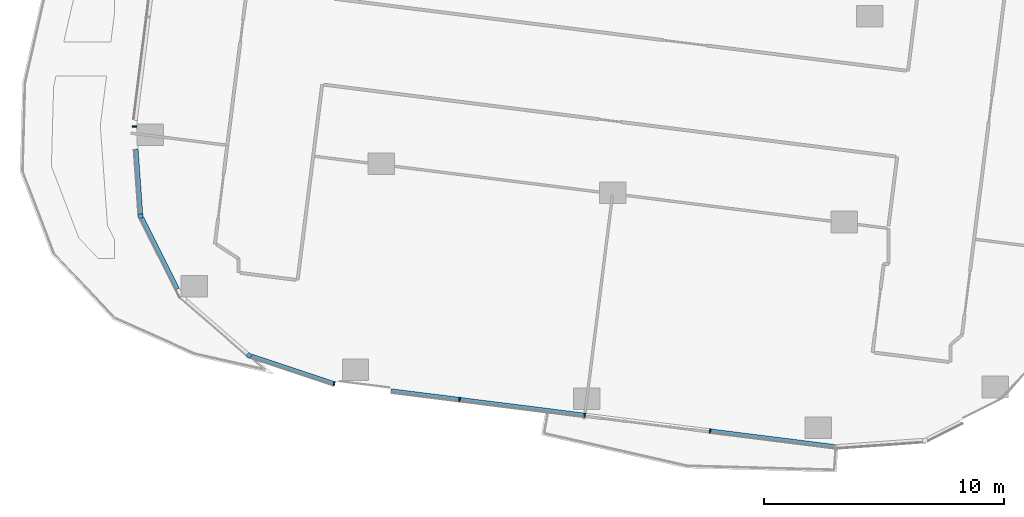
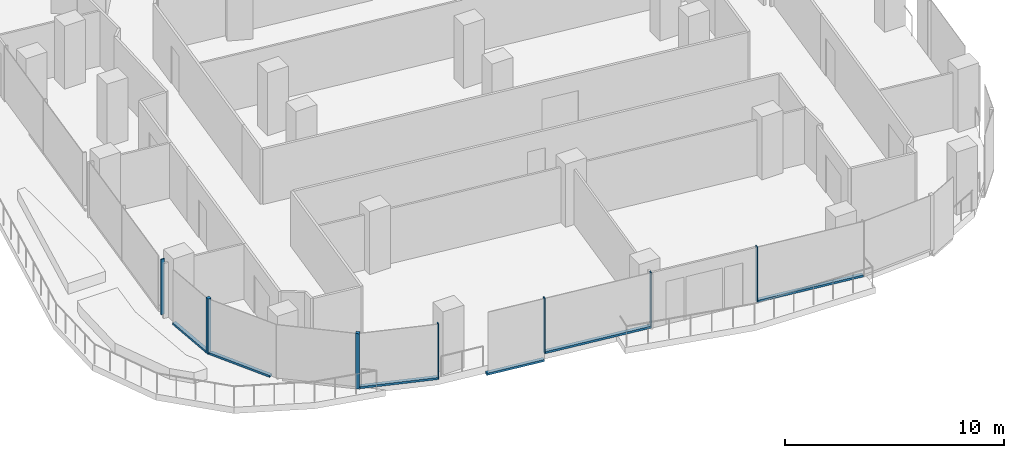
# One storey, part 2 of 29: 13 members, 6 elements without a shape of their own.
"""IFC4 building model written with IfcOpenShell, lengths in metres."""

import ifcopenshell
import ifcopenshell.guid

model = None  # the IFC model being written
_history = None  # IfcOwnerHistory: only IFC2X3 demands one
_inside = {}  # id of a spatial element -> (the spatial element, [elements in it])
_under = {}  # id of a project, library or spatial element -> (it, [spatial elements below it])
_declared = {}  # id of a project -> (the project, [libraries it declares])
_typed = {}  # id of a type object -> (the type object, [elements of that type])
_made_of = {}  # id of a material, layer set ... -> (it, [elements and type objects made of it])


def new_model(schema):
    """Start an empty IFC model of exactly this schema.

    Asked for "IFC4X3", IfcOpenShell would pick the latest addendum, in which some entities
    have other attributes; the version numbers below select the first issue.
    IFC2X3 requires an IfcOwnerHistory on every rooted entity: one is made here for all.
    """
    global model, _history
    if schema == "IFC4X3":
        model = ifcopenshell.file(schema_version=(4, 3, 0, 0))
    else:
        model = ifcopenshell.file(schema=schema)
    _inside.clear()
    _under.clear()
    _declared.clear()
    _typed.clear()
    _made_of.clear()
    _history = None
    if model.schema == "IFC2X3":
        org = make("IfcOrganization", Name="unknown")
        user = make(
            "IfcPersonAndOrganization",
            ThePerson=make("IfcPerson", FamilyName="unknown"),
            TheOrganization=org,
        )
        app = make(
            "IfcApplication",
            ApplicationDeveloper=org,
            Version="unknown",
            ApplicationFullName="unknown",
            ApplicationIdentifier="unknown",
        )
        _history = make(
            "IfcOwnerHistory",
            OwningUser=user,
            OwningApplication=app,
            ChangeAction="ADDED",
            CreationDate=0,
        )
    return model


def make(cls, **values):
    """One entity of the class cls with the attributes given. An attribute that is None is left unset."""
    return model.create_entity(
        cls, **{name: value for name, value in values.items() if value is not None}
    )


def rooted(cls, **values):
    """An entity with a GlobalId (a new one), such as an element, a storey or a relation."""
    return make(cls, GlobalId=ifcopenshell.guid.new(), OwnerHistory=_history, **values)


def si_unit(unit_type, name, prefix=None):
    """IfcSIUnit, for example si_unit("LENGTHUNIT", "METRE", prefix="MILLI")."""
    return make("IfcSIUnit", UnitType=unit_type, Prefix=prefix, Name=name)


def assignment(units):
    """IfcUnitAssignment: the units of a project."""
    return None if units is None else make("IfcUnitAssignment", Units=units)


def point(xyz):
    """IfcCartesianPoint."""
    return None if xyz is None else make("IfcCartesianPoint", Coordinates=xyz)


def direction(xyz):
    """IfcDirection."""
    return None if xyz is None else make("IfcDirection", DirectionRatios=xyz)


def frame(location, z_axis=None, x_axis=None):
    """IfcAxis2Placement3D, a coordinate frame: its origin and axes. An axis left out is left unset."""
    return make(
        "IfcAxis2Placement3D",
        Location=point(location),
        Axis=direction(z_axis),
        RefDirection=direction(x_axis),
    )


def frame_2d(location, x_axis=None):
    """IfcAxis2Placement2D, a coordinate frame in the plane: its origin and x axis."""
    return make(
        "IfcAxis2Placement2D", Location=point(location), RefDirection=direction(x_axis)
    )


def origin():
    """The frame at (0, 0, 0) with its axes left unset."""
    return frame((0.0, 0.0, 0.0))


def origin_2d():
    """The frame at (0, 0) in the plane with its x axis left unset."""
    return frame_2d((0.0, 0.0))


def place(relative_to, where):
    """IfcLocalPlacement: puts the frame where relative to a parent placement (None: the world)."""
    return make(
        "IfcLocalPlacement", PlacementRelTo=relative_to, RelativePlacement=where
    )


def context(
    kind, dimensions, precision=None, world=None, true_north=None, identifier=None
):
    """IfcGeometricRepresentationContext, for example the 3D "Model" context."""
    return make(
        "IfcGeometricRepresentationContext",
        ContextIdentifier=identifier,
        ContextType=kind,
        CoordinateSpaceDimension=dimensions,
        Precision=precision,
        WorldCoordinateSystem=world,
        TrueNorth=true_north,
    )


def subcontext(parent, identifier, kind, view, scale=None):
    """IfcGeometricRepresentationSubContext, for example "Body" below "Model"."""
    return make(
        "IfcGeometricRepresentationSubContext",
        ContextIdentifier=identifier,
        ContextType=kind,
        ParentContext=parent,
        TargetScale=scale,
        TargetView=view,
    )


def project(units=None, contexts=None):
    """IfcProject with its units and contexts."""
    return rooted(
        "IfcProject",
        Name="project",
        RepresentationContexts=contexts,
        UnitsInContext=assignment(units),
    )


def spatial(cls, under=None, at=None, **own):
    """A site, building, storey or space (cls), placed at a placement, below another one or the project."""
    s = rooted(cls, ObjectPlacement=at, **own)
    if under is not None:
        _under.setdefault(under.id(), (under, []))[1].append(s)
    return s


def profile(cls, at=None, kind="AREA", **sizes):
    """A parametric profile (cls). Its sizes go by their IFC names, for example OverallWidth=200.0."""
    return make(cls, ProfileType=kind, Position=at, **sizes)


def rectangle(**sizes):
    """IfcRectangleProfileDef."""
    return profile("IfcRectangleProfileDef", **sizes)


def extrude(swept, where, along, depth):
    """IfcExtrudedAreaSolid: the profile swept, set in the frame where, extruded along a direction by depth."""
    return make(
        "IfcExtrudedAreaSolid",
        SweptArea=swept,
        Position=where,
        ExtrudedDirection=direction(along),
        Depth=depth,
    )


def shape(context_of_items, identifier, shape_type, items):
    """IfcShapeRepresentation: the items that make up one representation, for example the "Body"."""
    return make(
        "IfcShapeRepresentation",
        ContextOfItems=context_of_items,
        RepresentationIdentifier=identifier,
        RepresentationType=shape_type,
        Items=items,
    )


def material(Name=None, Category=None):
    """IfcMaterial."""
    return make("IfcMaterial", Name=Name, Category=Category)


def material_profile(
    of_material, cross_section, Name=None, Category=None, Priority=None
):
    """IfcMaterialProfile: a cross section and its material."""
    return make(
        "IfcMaterialProfile",
        Name=Name,
        Material=of_material,
        Profile=cross_section,
        Priority=Priority,
        Category=Category,
    )


def profile_set(profiles, Name=None, composite=None):
    """IfcMaterialProfileSet."""
    return make(
        "IfcMaterialProfileSet",
        Name=Name,
        MaterialProfiles=profiles,
        CompositeProfile=composite,
    )


def made_of(thing, what):
    """Note that an element or type object is made of a material, layer set ...; save() writes the relation."""
    if what is not None:
        _made_of.setdefault(what.id(), (what, []))[1].append(thing)
    return thing


def type_object(cls, material=None, **own):
    """A type object (cls), such as IfcWallType, which elements share."""
    return made_of(rooted(cls, **own), material)


def element(
    cls,
    number,
    at=None,
    inside=None,
    cuts=None,
    type_object=None,
    material=None,
    context=None,
    identifier="Body",
    shape_type=None,
    held_by="IfcProductDefinitionShape",
    body=None,
    shapes=None,
    **own,
):
    """One element of the class cls, such as IfcWall. Its Tag is "e" and its number.

    at: its placement. inside: the storey or other place that contains it. cuts: it is an
    opening in that element (IfcRelVoidsElement). A single representation is given by context,
    identifier, shape_type and body (its items); several are given by shapes. held_by: the class
    of the entity that holds the representations. save() writes the other relations.
    """
    e = rooted(cls, Tag="e%d" % number, ObjectPlacement=at, **own)
    if body is not None:
        shapes = [shape(context, identifier, shape_type, body)]
    if shapes is not None:
        e.Representation = make(held_by, Representations=shapes)
    if inside is not None:
        _inside.setdefault(inside.id(), (inside, []))[1].append(e)
    if cuts is not None:
        rooted(
            "IfcRelVoidsElement", RelatingBuildingElement=cuts, RelatedOpeningElement=e
        )
    if type_object is not None:
        _typed.setdefault(type_object.id(), (type_object, []))[1].append(e)
    return made_of(e, material)


def aggregate(whole, parts):
    """IfcRelAggregates: a whole, such as a stair, and the parts it consists of."""
    return rooted("IfcRelAggregates", RelatingObject=whole, RelatedObjects=parts)


def save(model, path):
    """Write the relations noted so far, then the file.

    IfcRelAggregates (storeys below a building ...), IfcRelContainedInSpatialStructure (elements
    in a storey), IfcRelDefinesByType, IfcRelAssociatesMaterial and IfcRelDeclares: one each for
    every whole, place, type object, material and project.
    """
    for whole, parts in _under.values():
        aggregate(whole, parts)
    for where, things in _inside.values():
        rooted(
            "IfcRelContainedInSpatialStructure",
            RelatedElements=things,
            RelatingStructure=where,
        )
    for kind, things in _typed.values():
        rooted("IfcRelDefinesByType", RelatedObjects=things, RelatingType=kind)
    for what, things in _made_of.values():
        rooted("IfcRelAssociatesMaterial", RelatedObjects=things, RelatingMaterial=what)
    for by, libraries in _declared.values():
        rooted("IfcRelDeclares", RelatingContext=by, RelatedDefinitions=libraries)
    model.write(path)


model = new_model("IFC4")

# Units and contexts
model_context = context("Model", 3, precision=1e-05, world=origin(), true_north=direction((0.0, 1.0)))
body_context = subcontext(model_context, "Body", "Model", "MODEL_VIEW")
ifc_project = project(units=[si_unit("LENGTHUNIT", "METRE"), si_unit("AREAUNIT", "SQUARE_METRE"), si_unit("VOLUMEUNIT", "CUBIC_METRE"), si_unit("PLANEANGLEUNIT", "RADIAN"), si_unit("MASSUNIT", "GRAM", prefix="KILO")], contexts=[model_context])

# Site, building, storey
site_placement = place(None, origin())
site = spatial("IfcSite", under=ifc_project, at=site_placement, CompositionType="ELEMENT")
building_placement = place(site_placement, origin())
building = spatial("IfcBuilding", under=site, at=building_placement, Name="Orlundy Tower", CompositionType="ELEMENT")
storey_placement = place(building_placement, frame((0.0, 0.0, 188.60009765625)))
storey = spatial("IfcBuildingStorey", under=building, at=storey_placement, Name="L49", CompositionType="ELEMENT", Elevation=188.60009765625)

# Curtain wall, member
ifc_material_1 = material(Name="Aluminium bronze anodised", Category="aluminium")
curtain_wall_type = type_object("IfcCurtainWallType", Name="CW1 wall", PredefinedType="NOTDEFINED", material=ifc_material_1)
curtain_wall_1_placement = place(storey_placement, origin())
curtain_wall_1 = element("IfcCurtainWall", 1, at=curtain_wall_1_placement, inside=storey, type_object=curtain_wall_type, Name="CW1 run 025", PredefinedType="NOTDEFINED")
ifc_material_2 = material(Name="Aluminium bronze anodised", Category="aluminium")
ifc_material_profile_1 = material_profile(ifc_material_2, rectangle(XDim=0.179931640625, YDim=0.179931640625, at=origin_2d()), Name="CW1 corner post 180x180")
ifc_profile_set_1 = profile_set([ifc_material_profile_1], Name="Aluminium bronze anodised")
member_type_1 = type_object("IfcMemberType", Name="CW1 corner post 180x180", PredefinedType="MULLION", material=ifc_profile_set_1)
member_1_placement = place(storey_placement, frame((-21.4033203125, -56.6337890625, 0.0), z_axis=(0.0, 0.0, 1.0), x_axis=(-0.655002428568, -0.755626772005, 0.0)))
member_1 = element("IfcMember", 2, at=member_1_placement, type_object=member_type_1, Name="CW1 mullion 58", PredefinedType="MULLION", context=body_context, shape_type="SweptSolid", body=[
    extrude(rectangle(XDim=0.179931640625, YDim=0.179931640625, at=origin_2d()), origin(), (0.0, 0.0, 1.0), 3.079833984375),
])
aggregate(curtain_wall_1, [member_1])

curtain_wall_2_placement = place(storey_placement, origin())
curtain_wall_2 = element("IfcCurtainWall", 3, at=curtain_wall_2_placement, inside=storey, type_object=curtain_wall_type, Name="CW1 run 027", PredefinedType="NOTDEFINED")
member_2_placement = place(storey_placement, frame((-25.906494140625, -50.836181640625, 0.0), z_axis=(0.0, 0.0, 1.0), x_axis=(-0.997461437469, -0.071208712685, 0.0)))
member_2 = element("IfcMember", 4, at=member_2_placement, type_object=member_type_1, Name="CW1 mullion 60", PredefinedType="MULLION", context=body_context, shape_type="SweptSolid", body=[
    extrude(rectangle(XDim=0.179931640625, YDim=0.179931640625, at=origin_2d()), origin(), (0.0, 0.0, 1.0), 3.079833984375),
])

curtain_wall_3_placement = place(storey_placement, origin())
curtain_wall_3 = element("IfcCurtainWall", 5, at=curtain_wall_3_placement, inside=storey, type_object=curtain_wall_type, Name="CW1 run 00", PredefinedType="NOTDEFINED")
ifc_material_3 = material(Name="Aluminium bronze anodised", Category="aluminium")
ifc_material_profile_2 = material_profile(ifc_material_3, rectangle(XDim=0.179931640625, YDim=0.050048828125, at=origin_2d()), Name="CW1 mullion 50x180")
ifc_profile_set_2 = profile_set([ifc_material_profile_2], Name="Aluminium bronze anodised")
member_type_2 = type_object("IfcMemberType", Name="CW1 mullion 50x180", PredefinedType="MULLION", material=ifc_profile_set_2)
member_3_placement = place(storey_placement, frame((-26.17236328125, -47.111572265625, 0.0), z_axis=(0.0, 0.0, 1.0), x_axis=(-0.999637943834, 0.026906899623, 0.0)))
member_3 = element("IfcMember", 6, at=member_3_placement, type_object=member_type_2, Name="CW1 mullion 1", PredefinedType="MULLION", context=body_context, shape_type="SweptSolid", body=[
    extrude(rectangle(XDim=0.179931640625, YDim=0.050048828125, at=origin_2d()), origin(), (0.0, 0.0, 1.0), 3.079833984375),
])
aggregate(curtain_wall_3, [member_3])

# Curtain wall, members
curtain_wall_4_placement = place(storey_placement, origin())
curtain_wall_4 = element("IfcCurtainWall", 7, at=curtain_wall_4_placement, inside=storey, type_object=curtain_wall_type, Name="CW1 run 023", PredefinedType="NOTDEFINED")
member_4_placement = place(storey_placement, frame((-2.225341796875, -59.779296875, 0.0), z_axis=(0.0, 0.0, 1.0), x_axis=(-0.12476143853, -0.992186768434, 0.0)))
member_4 = element("IfcMember", 8, at=member_4_placement, type_object=member_type_2, Name="CW1 mullion 54", PredefinedType="MULLION", context=body_context, shape_type="SweptSolid", body=[
    extrude(rectangle(XDim=0.179931640625, YDim=0.050048828125, at=origin_2d()), origin(), (0.0, 0.0, 1.0), 3.079833984375),
])
member_5_placement = place(storey_placement, frame((-7.434326171875, -59.124267578125, 0.0), z_axis=(0.0, 0.0, 1.0), x_axis=(-0.12476143853, -0.992186768434, 0.0)))
member_5 = element("IfcMember", 9, at=member_5_placement, type_object=member_type_2, Name="CW1 mullion 55", PredefinedType="MULLION", context=body_context, shape_type="SweptSolid", body=[
    extrude(rectangle(XDim=0.179931640625, YDim=0.050048828125, at=origin_2d()), origin(), (0.0, 0.0, 1.0), 3.079833984375),
])
member_6_placement = place(storey_placement, frame((-12.643310546875, -58.46923828125, 0.0), z_axis=(0.0, 0.0, 1.0), x_axis=(-0.12476143853, -0.992186768434, 0.0)))
member_6 = element("IfcMember", 10, at=member_6_placement, type_object=member_type_2, Name="CW1 mullion 56", PredefinedType="MULLION", context=body_context, shape_type="SweptSolid", body=[
    extrude(rectangle(XDim=0.179931640625, YDim=0.050048828125, at=origin_2d()), origin(), (0.0, 0.0, 1.0), 3.079833984375),
])

# Curtain wall, member
curtain_wall_5_placement = place(storey_placement, origin())
curtain_wall_5 = element("IfcCurtainWall", 11, at=curtain_wall_5_placement, inside=storey, type_object=curtain_wall_type, Name="CW1 run 024", PredefinedType="NOTDEFINED")
member_7_placement = place(storey_placement, frame((-17.861083984375, -57.813232421875, 0.0), z_axis=(0.0, 0.0, 1.0), x_axis=(-0.221398524176, -0.975183415309, 0.0)))
member_7 = element("IfcMember", 12, at=member_7_placement, type_object=member_type_2, Name="CW1 mullion 57", PredefinedType="MULLION", context=body_context, shape_type="SweptSolid", body=[
    extrude(rectangle(XDim=0.179931640625, YDim=0.050048828125, at=origin_2d()), origin(), (0.0, 0.0, 1.0), 3.079833984375),
])

# Member
ifc_material_4 = material(Name="Aluminium bronze anodised", Category="aluminium")
ifc_material_profile_3 = material_profile(ifc_material_4, rectangle(XDim=0.179931640625, YDim=0.1201171875, at=origin_2d()), Name="CW1 transom 180x120")
ifc_profile_set_3 = profile_set([ifc_material_profile_3], Name="Aluminium bronze anodised")
member_type_3 = type_object("IfcMemberType", Name="CW1 transom 180x120", PredefinedType="USERDEFINED", material=ifc_profile_set_3)
member_8_placement = place(storey_placement, frame((2.967529296875, -60.432373046875, 0.059814453125), z_axis=(-0.992185300291, 0.124773113633, 0.0), x_axis=(-0.124773113633, -0.992185300291, 0.0)))
member_8 = element("IfcMember", 13, at=member_8_placement, type_object=member_type_3, Name="CW1 transom", ObjectType="TRANSOM", PredefinedType="USERDEFINED", context=body_context, shape_type="SweptSolid", body=[
    extrude(rectangle(XDim=0.179931640625, YDim=0.1201171875, at=origin_2d()), origin(), (0.0, 0.0, 1.0), 5.208740234375),
])

member_9_placement = place(storey_placement, frame((-7.458984375, -59.12109375, 0.059814453125), z_axis=(-0.99218877882, 0.124745449549, 0.0), x_axis=(-0.124745449549, -0.99218877882, 0.0)))
member_9 = element("IfcMember", 14, at=member_9_placement, type_object=member_type_3, Name="CW1 transom", ObjectType="TRANSOM", PredefinedType="USERDEFINED", context=body_context, shape_type="SweptSolid", body=[
    extrude(rectangle(XDim=0.179931640625, YDim=0.1201171875, at=origin_2d()), origin(), (0.0, 0.0, 1.0), 5.199951171875),
])

member_10_placement = place(storey_placement, frame((-12.66796875, -58.466064453125, -0.360107421875), z_axis=(-0.992194874814, 0.124696954225, 0.0), x_axis=(-0.124696954225, -0.992194874814, 0.0)))
member_10 = element("IfcMember", 15, at=member_10_placement, type_object=member_type_3, Name="CW1 transom", ObjectType="TRANSOM", PredefinedType="USERDEFINED", context=body_context, shape_type="SweptSolid", body=[
    extrude(rectangle(XDim=0.179931640625, YDim=0.1201171875, at=origin_2d()), origin(), (0.0, 0.0, 1.0), 2.8583984375),
])

aggregate(curtain_wall_4, [member_4, member_5, member_6, member_8, member_9, member_10])

member_11_placement = place(storey_placement, frame((-17.884765625, -57.80517578125, 0.059814453125), z_axis=(-0.948804921466, 0.315862661614, 0.0), x_axis=(-0.315862661614, -0.948804921466, 0.0)))
member_11 = element("IfcMember", 16, at=member_11_placement, type_object=member_type_3, Name="CW1 transom", ObjectType="TRANSOM", PredefinedType="USERDEFINED", context=body_context, shape_type="SweptSolid", body=[
    extrude(rectangle(XDim=0.179931640625, YDim=0.1201171875, at=origin_2d()), origin(), (0.0, 0.0, 1.0), 3.611083984375),
])

aggregate(curtain_wall_5, [member_7, member_11])

# Curtain wall, member
curtain_wall_6_placement = place(storey_placement, origin())
curtain_wall_6 = element("IfcCurtainWall", 17, at=curtain_wall_6_placement, inside=storey, type_object=curtain_wall_type, Name="CW1 run 026", PredefinedType="NOTDEFINED")
member_12_placement = place(storey_placement, frame((-24.385009765625, -53.87548828125, 0.059814453125), z_axis=(-0.447627675266, 0.894220031276, 0.0), x_axis=(-0.894220031276, -0.447627675266, 0.0)))
member_12 = element("IfcMember", 18, at=member_12_placement, type_object=member_type_3, Name="CW1 transom", ObjectType="TRANSOM", PredefinedType="USERDEFINED", context=body_context, shape_type="SweptSolid", body=[
    extrude(rectangle(XDim=0.179931640625, YDim=0.1201171875, at=origin_2d()), origin(), (0.0, 0.0, 1.0), 3.30126953125),
])
aggregate(curtain_wall_6, [member_12])

# Member
member_13_placement = place(storey_placement, frame((-25.912841796875, -50.74658203125, 0.059814453125), z_axis=(-0.071266331494, 0.997457322393, 0.0), x_axis=(-0.997457322393, -0.071266331494, 0.0)))
member_13 = element("IfcMember", 19, at=member_13_placement, type_object=member_type_3, Name="CW1 transom", ObjectType="TRANSOM", PredefinedType="USERDEFINED", context=body_context, shape_type="SweptSolid", body=[
    extrude(rectangle(XDim=0.179931640625, YDim=0.1201171875, at=origin_2d()), origin(), (0.0, 0.0, 1.0), 2.699462890625),
])

aggregate(curtain_wall_2, [member_2, member_13])

save(model, "model.ifc")
